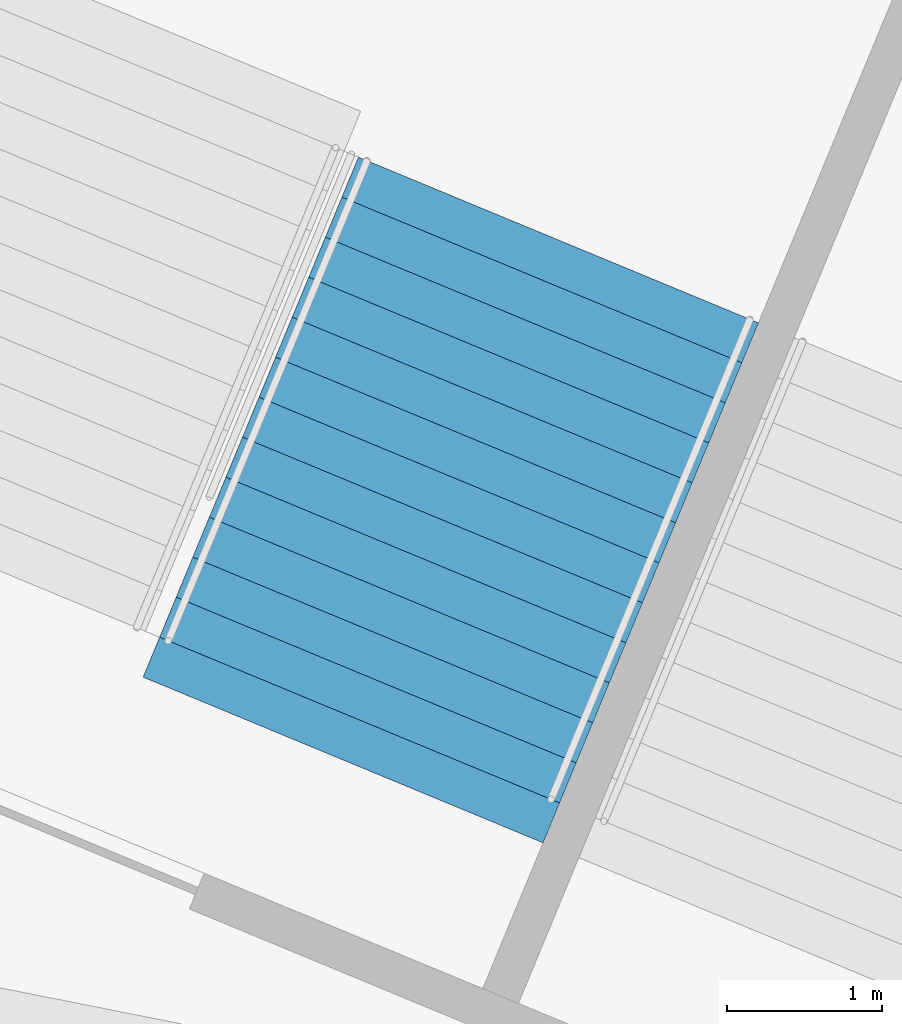
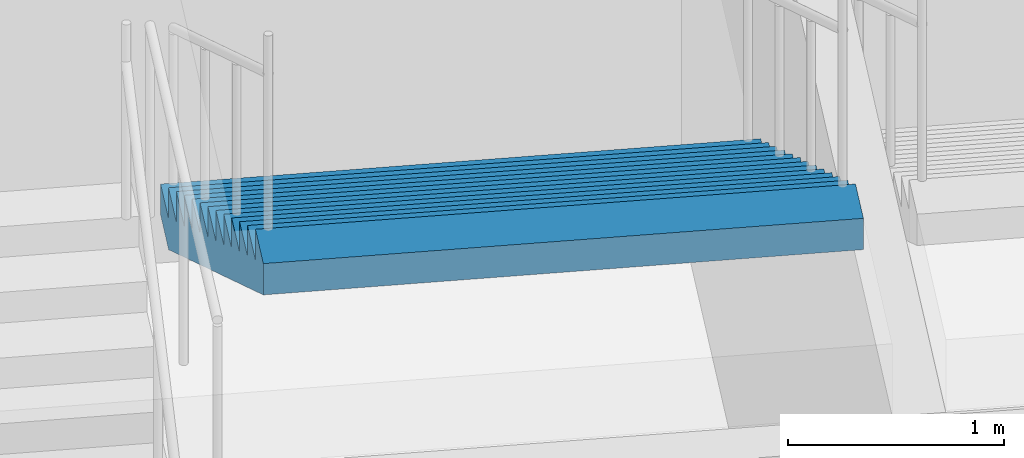
# One storey, part 151 of 175: 1 stair flight, 1 element without a shape of its own.
"""IFC4 building model written with IfcOpenShell, lengths in metres."""

from ifc_helpers import new_model, si_unit, direction, frame, origin, place, context, subcontext, project, spatial, faceted_brep, material, type_object, element, aggregate, save


model = new_model("IFC4")

# Units and contexts
model_context = context("Model", 3, precision=1e-05, world=origin(), true_north=direction((0.0, 1.0)))
body_context = subcontext(model_context, "Body", "Model", "MODEL_VIEW")
ifc_project = project(units=[si_unit("LENGTHUNIT", "METRE"), si_unit("AREAUNIT", "SQUARE_METRE"), si_unit("VOLUMEUNIT", "CUBIC_METRE"), si_unit("PLANEANGLEUNIT", "RADIAN"), si_unit("MASSUNIT", "GRAM", prefix="KILO")], contexts=[model_context])

# Site, building, storey
site_placement = place(None, origin())
site = spatial("IfcSite", under=ifc_project, at=site_placement, CompositionType="ELEMENT")
building_placement = place(site_placement, origin())
building = spatial("IfcBuilding", under=site, at=building_placement, Name="Ogive Plaza Stadium", CompositionType="ELEMENT")
storey_placement = place(building_placement, origin())
storey = spatial("IfcBuildingStorey", under=building, at=storey_placement, Name="L00", CompositionType="ELEMENT", Elevation=0.0)

# Stair, stair flight
ifc_material_1 = material(Name="Concrete C40/50", Category="concrete")
stair_type = type_object("IfcStairType", Name="Exit stair", PredefinedType="STRAIGHT_RUN_STAIR", material=ifc_material_1)
stair_placement = place(storey_placement, origin())
stair = element("IfcStair", 1, at=stair_placement, inside=storey, type_object=stair_type, Name="Exit stair ST38B L00 to L01", PredefinedType="STRAIGHT_RUN_STAIR")
ifc_material_2 = material(Name="Concrete C40/50", Category="concrete")
stair_flight_type = type_object("IfcStairFlightType", Name="Exit stair flight", PredefinedType="STRAIGHT", material=ifc_material_2)
stair_flight_placement = place(storey_placement, frame((50.08349609375, 95.314208984375, 2.25), z_axis=(0.0, 0.0, 1.0), x_axis=(-0.382683432365, -0.923879532511, 0.0)))
stair_flight = element("IfcStairFlight", 2, at=stair_flight_placement, type_object=stair_flight_type, Name="ST38B flight 2", NumberOfRisers=13, NumberOfTreads=12, PredefinedType="STRAIGHT", RiserHeight=0.173076923, TreadLength=0.28, context=body_context, shape_type="Brep", body=[
    faceted_brep([(0.28515625, -1.39990234375, 0.0), (3.639892578125, -1.39990234375, 2.07373046875), (3.639892578125, -1.39990234375, 2.25), (3.360107421875, -1.39990234375, 2.25), (3.360107421875, -1.39990234375, 2.076904296875), (3.080078125, -1.39990234375, 2.076904296875), (3.080078125, -1.39990234375, 1.90380859375), (2.800048828125, -1.39990234375, 1.90380859375), (2.800048828125, -1.39990234375, 1.730712890625), (2.52001953125, -1.39990234375, 1.730712890625), (2.52001953125, -1.39990234375, 1.5576171875), (2.239990234375, -1.39990234375, 1.5576171875), (2.239990234375, -1.39990234375, 1.384521484375), (1.9599609375, -1.39990234375, 1.384521484375), (1.9599609375, -1.39990234375, 1.21142578125), (1.679931640625, -1.39990234375, 1.21142578125), (1.679931640625, -1.39990234375, 1.03857421875), (1.39990234375, -1.39990234375, 1.03857421875), (1.39990234375, -1.39990234375, 0.865478515625), (1.1201171875, -1.39990234375, 0.865478515625), (1.1201171875, -1.39990234375, 0.6923828125), (0.840087890625, -1.39990234375, 0.6923828125), (0.840087890625, -1.39990234375, 0.519287109375), (0.56005859375, -1.39990234375, 0.519287109375), (0.56005859375, -1.39990234375, 0.34619140625), (0.280029296875, -1.39990234375, 0.34619140625), (0.280029296875, -1.39990234375, 0.173095703125), (0.0, -1.39990234375, 0.173095703125), (0.0, -1.39990234375, 0.0), (0.0, 1.39990234375, 0.0), (0.0, 1.39990234375, 0.173095703125), (0.280029296875, 1.39990234375, 0.173095703125), (0.280029296875, 1.39990234375, 0.34619140625), (0.56005859375, 1.39990234375, 0.34619140625), (0.56005859375, 1.39990234375, 0.519287109375), (0.840087890625, 1.39990234375, 0.519287109375), (0.840087890625, 1.39990234375, 0.6923828125), (1.1201171875, 1.39990234375, 0.6923828125), (1.1201171875, 1.39990234375, 0.865478515625), (1.39990234375, 1.39990234375, 0.865478515625), (1.39990234375, 1.39990234375, 1.03857421875), (1.679931640625, 1.39990234375, 1.03857421875), (1.679931640625, 1.39990234375, 1.21142578125), (1.9599609375, 1.39990234375, 1.21142578125), (1.9599609375, 1.39990234375, 1.384521484375), (2.239990234375, 1.39990234375, 1.384521484375), (2.239990234375, 1.39990234375, 1.5576171875), (2.52001953125, 1.39990234375, 1.5576171875), (2.52001953125, 1.39990234375, 1.730712890625), (2.800048828125, 1.39990234375, 1.730712890625), (2.800048828125, 1.39990234375, 1.90380859375), (3.080078125, 1.39990234375, 1.90380859375), (3.080078125, 1.39990234375, 2.076904296875), (3.360107421875, 1.39990234375, 2.076904296875), (3.360107421875, 1.39990234375, 2.25), (3.639892578125, 1.39990234375, 2.25), (3.639892578125, 1.39990234375, 2.07373046875), (0.28515625, 1.39990234375, 0.0), (0.28515625, -1.0888671875, 0.0), (3.639892578125, -1.0888671875, 2.07373046875), (0.28515625, -0.77783203125, 0.0), (3.639892578125, -0.77783203125, 2.07373046875), (0.28515625, -0.466796875, 0.0), (3.639892578125, -0.466796875, 2.07373046875), (0.28515625, -0.155517578125, 0.0), (3.639892578125, -0.155517578125, 2.07373046875), (0.28515625, 0.155517578125, 0.0), (3.639892578125, 0.155517578125, 2.07373046875), (0.28515625, 0.466796875, 0.0), (3.639892578125, 0.466796875, 2.07373046875), (0.28515625, 0.77783203125, 0.0), (3.639892578125, 0.77783203125, 2.07373046875), (0.28515625, 1.0888671875, 0.0), (3.639892578125, 1.0888671875, 2.07373046875), (3.639892578125, -1.0888671875, 2.25), (3.639892578125, -0.77783203125, 2.25), (3.639892578125, -0.466796875, 2.25), (3.639892578125, -0.155517578125, 2.25), (3.639892578125, 0.155517578125, 2.25), (3.639892578125, 0.466796875, 2.25), (3.639892578125, 0.77783203125, 2.25), (3.639892578125, 1.0888671875, 2.25), (3.360107421875, -1.0888671875, 2.25), (3.360107421875, -0.77783203125, 2.25), (3.360107421875, -0.466796875, 2.25), (3.360107421875, -0.155517578125, 2.25), (3.360107421875, 0.155517578125, 2.25), (3.360107421875, 0.466796875, 2.25), (3.360107421875, 0.77783203125, 2.25), (3.360107421875, 1.0888671875, 2.25), (3.360107421875, -1.0888671875, 2.076904296875), (3.360107421875, -0.77783203125, 2.076904296875), (3.360107421875, -0.466796875, 2.076904296875), (3.360107421875, -0.155517578125, 2.076904296875), (3.360107421875, 0.155517578125, 2.076904296875), (3.360107421875, 0.466796875, 2.076904296875), (3.360107421875, 0.77783203125, 2.076904296875), (3.360107421875, 1.0888671875, 2.076904296875), (3.080078125, -1.0888671875, 2.076904296875), (3.080078125, -0.77783203125, 2.076904296875), (3.080078125, -0.466796875, 2.076904296875), (3.080078125, -0.155517578125, 2.076904296875), (3.080078125, 0.155517578125, 2.076904296875), (3.080078125, 0.466796875, 2.076904296875), (3.080078125, 0.77783203125, 2.076904296875), (3.080078125, 1.0888671875, 2.076904296875), (3.080078125, -1.0888671875, 1.90380859375), (3.080078125, -0.77783203125, 1.90380859375), (3.080078125, -0.466796875, 1.90380859375), (3.080078125, -0.155517578125, 1.90380859375), (3.080078125, 0.155517578125, 1.90380859375), (3.080078125, 0.466796875, 1.90380859375), (3.080078125, 0.77783203125, 1.90380859375), (3.080078125, 1.0888671875, 1.90380859375), (2.800048828125, -1.0888671875, 1.90380859375), (2.800048828125, -0.77783203125, 1.90380859375), (2.800048828125, -0.466796875, 1.90380859375), (2.800048828125, -0.155517578125, 1.90380859375), (2.800048828125, 0.155517578125, 1.90380859375), (2.800048828125, 0.466796875, 1.90380859375), (2.800048828125, 0.77783203125, 1.90380859375), (2.800048828125, 1.0888671875, 1.90380859375), (2.800048828125, -1.0888671875, 1.730712890625), (2.800048828125, -0.77783203125, 1.730712890625), (2.800048828125, -0.466796875, 1.730712890625), (2.800048828125, -0.155517578125, 1.730712890625), (2.800048828125, 0.155517578125, 1.730712890625), (2.800048828125, 0.466796875, 1.730712890625), (2.800048828125, 0.77783203125, 1.730712890625), (2.800048828125, 1.0888671875, 1.730712890625), (2.52001953125, -1.0888671875, 1.730712890625), (2.52001953125, -0.77783203125, 1.730712890625), (2.52001953125, -0.466796875, 1.730712890625), (2.52001953125, -0.155517578125, 1.730712890625), (2.52001953125, 0.155517578125, 1.730712890625), (2.52001953125, 0.466796875, 1.730712890625), (2.52001953125, 0.77783203125, 1.730712890625), (2.52001953125, 1.0888671875, 1.730712890625), (2.52001953125, -1.0888671875, 1.5576171875), (2.52001953125, -0.77783203125, 1.5576171875), (2.52001953125, -0.466796875, 1.5576171875), (2.52001953125, -0.155517578125, 1.5576171875), (2.52001953125, 0.155517578125, 1.5576171875), (2.52001953125, 0.466796875, 1.5576171875), (2.52001953125, 0.77783203125, 1.5576171875), (2.52001953125, 1.0888671875, 1.5576171875), (2.239990234375, -1.0888671875, 1.5576171875), (2.239990234375, -0.77783203125, 1.5576171875), (2.239990234375, -0.466796875, 1.5576171875), (2.239990234375, -0.155517578125, 1.5576171875), (2.239990234375, 0.155517578125, 1.5576171875), (2.239990234375, 0.466796875, 1.5576171875), (2.239990234375, 0.77783203125, 1.5576171875), (2.239990234375, 1.0888671875, 1.5576171875), (2.239990234375, -1.0888671875, 1.384521484375), (2.239990234375, -0.77783203125, 1.384521484375), (2.239990234375, -0.466796875, 1.384521484375), (2.239990234375, -0.155517578125, 1.384521484375), (2.239990234375, 0.155517578125, 1.384521484375), (2.239990234375, 0.466796875, 1.384521484375), (2.239990234375, 0.77783203125, 1.384521484375), (2.239990234375, 1.0888671875, 1.384521484375), (1.9599609375, -1.0888671875, 1.384521484375), (1.9599609375, -0.77783203125, 1.384521484375), (1.9599609375, -0.466796875, 1.384521484375), (1.9599609375, -0.155517578125, 1.384521484375), (1.9599609375, 0.155517578125, 1.384521484375), (1.9599609375, 0.466796875, 1.384521484375), (1.9599609375, 0.77783203125, 1.384521484375), (1.9599609375, 1.0888671875, 1.384521484375), (1.9599609375, -1.0888671875, 1.21142578125), (1.9599609375, -0.77783203125, 1.21142578125), (1.9599609375, -0.466796875, 1.21142578125), (1.9599609375, -0.155517578125, 1.21142578125), (1.9599609375, 0.155517578125, 1.21142578125), (1.9599609375, 0.466796875, 1.21142578125), (1.9599609375, 0.77783203125, 1.21142578125), (1.9599609375, 1.0888671875, 1.21142578125), (1.679931640625, -1.0888671875, 1.21142578125), (1.679931640625, -0.77783203125, 1.21142578125), (1.679931640625, -0.466796875, 1.21142578125), (1.679931640625, -0.155517578125, 1.21142578125), (1.679931640625, 0.155517578125, 1.21142578125), (1.679931640625, 0.466796875, 1.21142578125), (1.679931640625, 0.77783203125, 1.21142578125), (1.679931640625, 1.0888671875, 1.21142578125), (1.679931640625, -1.0888671875, 1.03857421875), (1.679931640625, -0.77783203125, 1.03857421875), (1.679931640625, -0.466796875, 1.03857421875), (1.679931640625, -0.155517578125, 1.03857421875), (1.679931640625, 0.155517578125, 1.03857421875), (1.679931640625, 0.466796875, 1.03857421875), (1.679931640625, 0.77783203125, 1.03857421875), (1.679931640625, 1.0888671875, 1.03857421875), (1.39990234375, -1.0888671875, 1.03857421875), (1.39990234375, -0.77783203125, 1.03857421875), (1.39990234375, -0.466796875, 1.03857421875), (1.39990234375, -0.155517578125, 1.03857421875), (1.39990234375, 0.155517578125, 1.03857421875), (1.39990234375, 0.466796875, 1.03857421875), (1.39990234375, 0.77783203125, 1.03857421875), (1.39990234375, 1.0888671875, 1.03857421875), (1.39990234375, -1.0888671875, 0.865478515625), (1.39990234375, -0.77783203125, 0.865478515625), (1.39990234375, -0.466796875, 0.865478515625), (1.39990234375, -0.155517578125, 0.865478515625), (1.39990234375, 0.155517578125, 0.865478515625), (1.39990234375, 0.466796875, 0.865478515625), (1.39990234375, 0.77783203125, 0.865478515625), (1.39990234375, 1.0888671875, 0.865478515625), (1.1201171875, -1.0888671875, 0.865478515625), (1.1201171875, -0.77783203125, 0.865478515625), (1.1201171875, -0.466796875, 0.865478515625), (1.1201171875, -0.155517578125, 0.865478515625), (1.1201171875, 0.155517578125, 0.865478515625), (1.1201171875, 0.466796875, 0.865478515625), (1.1201171875, 0.77783203125, 0.865478515625), (1.1201171875, 1.0888671875, 0.865478515625), (1.1201171875, -1.0888671875, 0.6923828125), (1.1201171875, -0.77783203125, 0.6923828125), (1.1201171875, -0.466796875, 0.6923828125), (1.1201171875, -0.155517578125, 0.6923828125), (1.1201171875, 0.155517578125, 0.6923828125), (1.1201171875, 0.466796875, 0.6923828125), (1.1201171875, 0.77783203125, 0.6923828125), (1.1201171875, 1.0888671875, 0.6923828125), (0.840087890625, -1.0888671875, 0.6923828125), (0.840087890625, -0.77783203125, 0.6923828125), (0.840087890625, -0.466796875, 0.6923828125), (0.840087890625, -0.155517578125, 0.6923828125), (0.840087890625, 0.155517578125, 0.6923828125), (0.840087890625, 0.466796875, 0.6923828125), (0.840087890625, 0.77783203125, 0.6923828125), (0.840087890625, 1.0888671875, 0.6923828125), (0.840087890625, -1.0888671875, 0.519287109375), (0.840087890625, -0.77783203125, 0.519287109375), (0.840087890625, -0.466796875, 0.519287109375), (0.840087890625, -0.155517578125, 0.519287109375), (0.840087890625, 0.155517578125, 0.519287109375), (0.840087890625, 0.466796875, 0.519287109375), (0.840087890625, 0.77783203125, 0.519287109375), (0.840087890625, 1.0888671875, 0.519287109375), (0.56005859375, -1.0888671875, 0.519287109375), (0.56005859375, -0.77783203125, 0.519287109375), (0.56005859375, -0.466796875, 0.519287109375), (0.56005859375, -0.155517578125, 0.519287109375), (0.56005859375, 0.155517578125, 0.519287109375), (0.56005859375, 0.466796875, 0.519287109375), (0.56005859375, 0.77783203125, 0.519287109375), (0.56005859375, 1.0888671875, 0.519287109375), (0.56005859375, -1.0888671875, 0.34619140625), (0.56005859375, -0.77783203125, 0.34619140625), (0.56005859375, -0.466796875, 0.34619140625), (0.56005859375, -0.155517578125, 0.34619140625), (0.56005859375, 0.155517578125, 0.34619140625), (0.56005859375, 0.466796875, 0.34619140625), (0.56005859375, 0.77783203125, 0.34619140625), (0.56005859375, 1.0888671875, 0.34619140625), (0.280029296875, -1.0888671875, 0.34619140625), (0.280029296875, -0.77783203125, 0.34619140625), (0.280029296875, -0.466796875, 0.34619140625), (0.280029296875, -0.155517578125, 0.34619140625), (0.280029296875, 0.155517578125, 0.34619140625), (0.280029296875, 0.466796875, 0.34619140625), (0.280029296875, 0.77783203125, 0.34619140625), (0.280029296875, 1.0888671875, 0.34619140625), (0.280029296875, -1.0888671875, 0.173095703125), (0.280029296875, -0.77783203125, 0.173095703125), (0.280029296875, -0.466796875, 0.173095703125), (0.280029296875, -0.155517578125, 0.173095703125), (0.280029296875, 0.155517578125, 0.173095703125), (0.280029296875, 0.466796875, 0.173095703125), (0.280029296875, 0.77783203125, 0.173095703125), (0.280029296875, 1.0888671875, 0.173095703125), (0.0, -1.0888671875, 0.173095703125), (0.0, -0.77783203125, 0.173095703125), (0.0, -0.466796875, 0.173095703125), (0.0, -0.155517578125, 0.173095703125), (0.0, 0.155517578125, 0.173095703125), (0.0, 0.466796875, 0.173095703125), (0.0, 0.77783203125, 0.173095703125), (0.0, 1.0888671875, 0.173095703125), (0.0, -1.0888671875, 0.0), (0.0, -0.77783203125, 0.0), (0.0, -0.466796875, 0.0), (0.0, -0.155517578125, 0.0), (0.0, 0.155517578125, 0.0), (0.0, 0.466796875, 0.0), (0.0, 0.77783203125, 0.0), (0.0, 1.0888671875, 0.0)], [[[0, 1, 2, 3, 4, 5, 6, 7, 8, 9, 10, 11, 12, 13, 14, 15, 16, 17, 18, 19, 20, 21, 22, 23, 24, 25, 26, 27, 28]], [[29, 30, 31, 32, 33, 34, 35, 36, 37, 38, 39, 40, 41, 42, 43, 44, 45, 46, 47, 48, 49, 50, 51, 52, 53, 54, 55, 56, 57]], [[0, 58, 59, 1]], [[58, 60, 61, 59]], [[60, 62, 63, 61]], [[62, 64, 65, 63]], [[64, 66, 67, 65]], [[66, 68, 69, 67]], [[68, 70, 71, 69]], [[70, 72, 73, 71]], [[72, 57, 56, 73]], [[1, 59, 74, 2]], [[59, 61, 75, 74]], [[61, 63, 76, 75]], [[63, 65, 77, 76]], [[65, 67, 78, 77]], [[67, 69, 79, 78]], [[69, 71, 80, 79]], [[71, 73, 81, 80]], [[73, 56, 55, 81]], [[2, 74, 82, 3]], [[74, 75, 83, 82]], [[75, 76, 84, 83]], [[76, 77, 85, 84]], [[77, 78, 86, 85]], [[78, 79, 87, 86]], [[79, 80, 88, 87]], [[80, 81, 89, 88]], [[81, 55, 54, 89]], [[3, 82, 90, 4]], [[82, 83, 91, 90]], [[83, 84, 92, 91]], [[84, 85, 93, 92]], [[85, 86, 94, 93]], [[86, 87, 95, 94]], [[87, 88, 96, 95]], [[88, 89, 97, 96]], [[89, 54, 53, 97]], [[4, 90, 98, 5]], [[90, 91, 99, 98]], [[91, 92, 100, 99]], [[92, 93, 101, 100]], [[93, 94, 102, 101]], [[94, 95, 103, 102]], [[95, 96, 104, 103]], [[96, 97, 105, 104]], [[97, 53, 52, 105]], [[5, 98, 106, 6]], [[98, 99, 107, 106]], [[99, 100, 108, 107]], [[100, 101, 109, 108]], [[101, 102, 110, 109]], [[102, 103, 111, 110]], [[103, 104, 112, 111]], [[104, 105, 113, 112]], [[105, 52, 51, 113]], [[6, 106, 114, 7]], [[106, 107, 115, 114]], [[107, 108, 116, 115]], [[108, 109, 117, 116]], [[109, 110, 118, 117]], [[110, 111, 119, 118]], [[111, 112, 120, 119]], [[112, 113, 121, 120]], [[113, 51, 50, 121]], [[7, 114, 122, 8]], [[114, 115, 123, 122]], [[115, 116, 124, 123]], [[116, 117, 125, 124]], [[117, 118, 126, 125]], [[118, 119, 127, 126]], [[119, 120, 128, 127]], [[120, 121, 129, 128]], [[121, 50, 49, 129]], [[8, 122, 130, 9]], [[122, 123, 131, 130]], [[123, 124, 132, 131]], [[124, 125, 133, 132]], [[125, 126, 134, 133]], [[126, 127, 135, 134]], [[127, 128, 136, 135]], [[128, 129, 137, 136]], [[129, 49, 48, 137]], [[9, 130, 138, 10]], [[130, 131, 139, 138]], [[131, 132, 140, 139]], [[132, 133, 141, 140]], [[133, 134, 142, 141]], [[134, 135, 143, 142]], [[135, 136, 144, 143]], [[136, 137, 145, 144]], [[137, 48, 47, 145]], [[10, 138, 146, 11]], [[138, 139, 147, 146]], [[139, 140, 148, 147]], [[140, 141, 149, 148]], [[141, 142, 150, 149]], [[142, 143, 151, 150]], [[143, 144, 152, 151]], [[144, 145, 153, 152]], [[145, 47, 46, 153]], [[11, 146, 154, 12]], [[146, 147, 155, 154]], [[147, 148, 156, 155]], [[148, 149, 157, 156]], [[149, 150, 158, 157]], [[150, 151, 159, 158]], [[151, 152, 160, 159]], [[152, 153, 161, 160]], [[153, 46, 45, 161]], [[12, 154, 162, 13]], [[154, 155, 163, 162]], [[155, 156, 164, 163]], [[156, 157, 165, 164]], [[157, 158, 166, 165]], [[158, 159, 167, 166]], [[159, 160, 168, 167]], [[160, 161, 169, 168]], [[161, 45, 44, 169]], [[13, 162, 170, 14]], [[162, 163, 171, 170]], [[163, 164, 172, 171]], [[164, 165, 173, 172]], [[165, 166, 174, 173]], [[166, 167, 175, 174]], [[167, 168, 176, 175]], [[168, 169, 177, 176]], [[169, 44, 43, 177]], [[14, 170, 178, 15]], [[170, 171, 179, 178]], [[171, 172, 180, 179]], [[172, 173, 181, 180]], [[173, 174, 182, 181]], [[174, 175, 183, 182]], [[175, 176, 184, 183]], [[176, 177, 185, 184]], [[177, 43, 42, 185]], [[15, 178, 186, 16]], [[178, 179, 187, 186]], [[179, 180, 188, 187]], [[180, 181, 189, 188]], [[181, 182, 190, 189]], [[182, 183, 191, 190]], [[183, 184, 192, 191]], [[184, 185, 193, 192]], [[185, 42, 41, 193]], [[16, 186, 194, 17]], [[186, 187, 195, 194]], [[187, 188, 196, 195]], [[188, 189, 197, 196]], [[189, 190, 198, 197]], [[190, 191, 199, 198]], [[191, 192, 200, 199]], [[192, 193, 201, 200]], [[193, 41, 40, 201]], [[17, 194, 202, 18]], [[194, 195, 203, 202]], [[195, 196, 204, 203]], [[196, 197, 205, 204]], [[197, 198, 206, 205]], [[198, 199, 207, 206]], [[199, 200, 208, 207]], [[200, 201, 209, 208]], [[201, 40, 39, 209]], [[18, 202, 210, 19]], [[202, 203, 211, 210]], [[203, 204, 212, 211]], [[204, 205, 213, 212]], [[205, 206, 214, 213]], [[206, 207, 215, 214]], [[207, 208, 216, 215]], [[208, 209, 217, 216]], [[209, 39, 38, 217]], [[19, 210, 218, 20]], [[210, 211, 219, 218]], [[211, 212, 220, 219]], [[212, 213, 221, 220]], [[213, 214, 222, 221]], [[214, 215, 223, 222]], [[215, 216, 224, 223]], [[216, 217, 225, 224]], [[217, 38, 37, 225]], [[20, 218, 226, 21]], [[218, 219, 227, 226]], [[219, 220, 228, 227]], [[220, 221, 229, 228]], [[221, 222, 230, 229]], [[222, 223, 231, 230]], [[223, 224, 232, 231]], [[224, 225, 233, 232]], [[225, 37, 36, 233]], [[21, 226, 234, 22]], [[226, 227, 235, 234]], [[227, 228, 236, 235]], [[228, 229, 237, 236]], [[229, 230, 238, 237]], [[230, 231, 239, 238]], [[231, 232, 240, 239]], [[232, 233, 241, 240]], [[233, 36, 35, 241]], [[22, 234, 242, 23]], [[234, 235, 243, 242]], [[235, 236, 244, 243]], [[236, 237, 245, 244]], [[237, 238, 246, 245]], [[238, 239, 247, 246]], [[239, 240, 248, 247]], [[240, 241, 249, 248]], [[241, 35, 34, 249]], [[23, 242, 250, 24]], [[242, 243, 251, 250]], [[243, 244, 252, 251]], [[244, 245, 253, 252]], [[245, 246, 254, 253]], [[246, 247, 255, 254]], [[247, 248, 256, 255]], [[248, 249, 257, 256]], [[249, 34, 33, 257]], [[24, 250, 258, 25]], [[250, 251, 259, 258]], [[251, 252, 260, 259]], [[252, 253, 261, 260]], [[253, 254, 262, 261]], [[254, 255, 263, 262]], [[255, 256, 264, 263]], [[256, 257, 265, 264]], [[257, 33, 32, 265]], [[25, 258, 266, 26]], [[258, 259, 267, 266]], [[259, 260, 268, 267]], [[260, 261, 269, 268]], [[261, 262, 270, 269]], [[262, 263, 271, 270]], [[263, 264, 272, 271]], [[264, 265, 273, 272]], [[265, 32, 31, 273]], [[26, 266, 274, 27]], [[266, 267, 275, 274]], [[267, 268, 276, 275]], [[268, 269, 277, 276]], [[269, 270, 278, 277]], [[270, 271, 279, 278]], [[271, 272, 280, 279]], [[272, 273, 281, 280]], [[273, 31, 30, 281]], [[27, 274, 282, 28]], [[274, 275, 283, 282]], [[275, 276, 284, 283]], [[276, 277, 285, 284]], [[277, 278, 286, 285]], [[278, 279, 287, 286]], [[279, 280, 288, 287]], [[280, 281, 289, 288]], [[281, 30, 29, 289]], [[28, 282, 58, 0]], [[282, 283, 60, 58]], [[283, 284, 62, 60]], [[284, 285, 64, 62]], [[285, 286, 66, 64]], [[286, 287, 68, 66]], [[287, 288, 70, 68]], [[288, 289, 72, 70]], [[289, 29, 57, 72]]]),
])
aggregate(stair, [stair_flight])

save(model, "model.ifc")
